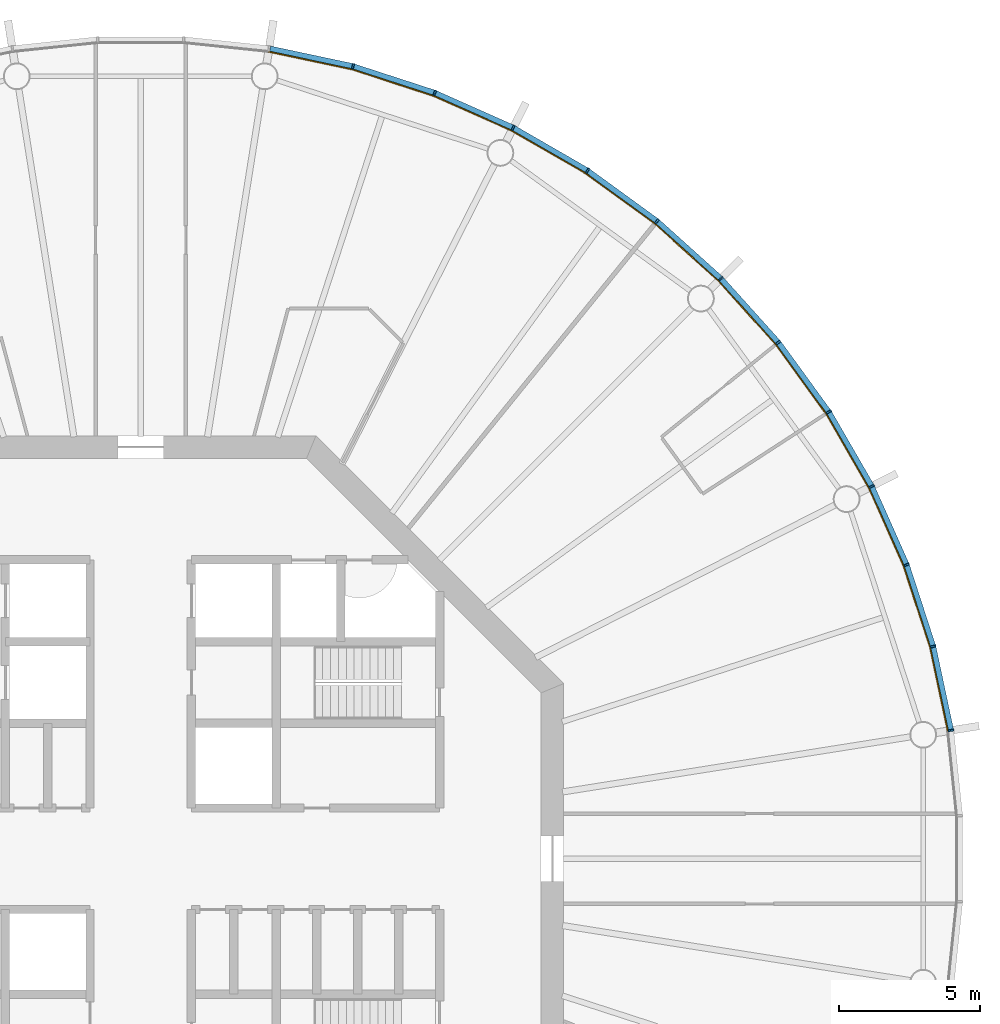
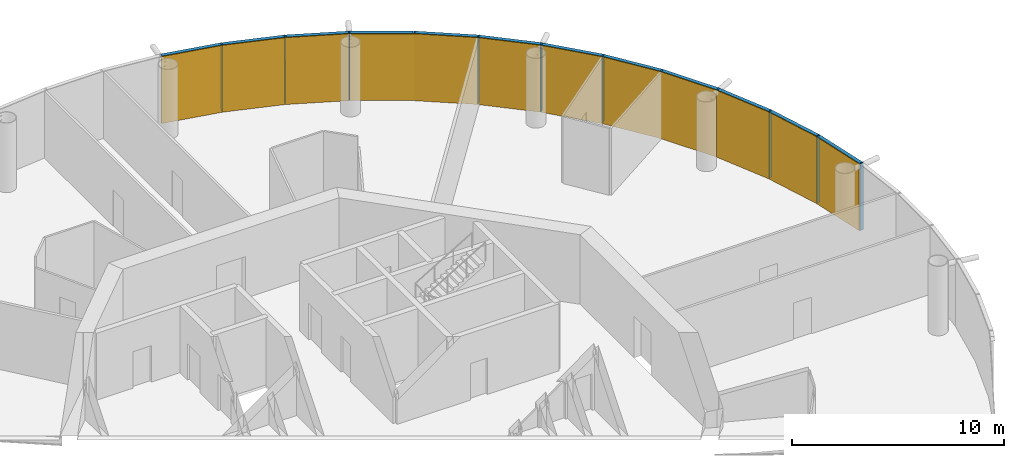
# One storey, part 12 of 13: 24 members, 4 curtain walls.
"""IFC4 building model written with IfcOpenShell, lengths in metres."""

from ifc_helpers import new_model, si_unit, direction, frame, origin, origin_2d, place, context, subcontext, project, spatial, polyline, rectangle, outline, extrude, material, layer, layer_set, material_profile, profile_set, type_object, element, aggregate, save


model = new_model("IFC4")

# Units and contexts
model_context = context("Model", 3, precision=1e-05, world=origin(), true_north=direction((0.0, 1.0)))
body_context = subcontext(model_context, "Body", "Model", "MODEL_VIEW")
ifc_project = project(units=[si_unit("LENGTHUNIT", "METRE"), si_unit("AREAUNIT", "SQUARE_METRE"), si_unit("VOLUMEUNIT", "CUBIC_METRE"), si_unit("PLANEANGLEUNIT", "RADIAN"), si_unit("MASSUNIT", "GRAM", prefix="KILO")], contexts=[model_context])

# Member
ifc_material_1 = material(Name="Anodised aluminium", Category="aluminium")
ifc_material_profile_1 = material_profile(ifc_material_1, rectangle(XDim=0.06494140625, YDim=0.195068359375, at=origin_2d()), Name="Mullion 65 x 195 mm anodised aluminium")
ifc_profile_set_1 = profile_set([ifc_material_profile_1], Name="Anodised aluminium")
member_type_1 = type_object("IfcMemberType", Name="Mullion 65 x 195 mm anodised aluminium", PredefinedType="MULLION", material=ifc_profile_set_1)
site_placement = place(None, origin())
building_placement = place(site_placement, origin())
storey_placement = place(building_placement, frame((0.0, 0.0, 290.0)))
member_1_placement = place(storey_placement, frame((118.7392578125, 84.5517578125, 0.0), z_axis=(0.0, 0.0, 1.0), x_axis=(-0.15643446504, 0.987688340595, 0.0)))
member_1 = element("IfcMember", 1, at=member_1_placement, type_object=member_type_1, Name="MULLION L66-00", PredefinedType="MULLION", context=body_context, shape_type="SweptSolid", body=[
    extrude(rectangle(XDim=0.06494140625, YDim=0.195068359375, at=origin_2d()), origin(), (0.0, 0.0, 1.0), 3.85009765625),
])

member_2_placement = place(storey_placement, frame((118.10595703125, 87.531005859375, 0.0), z_axis=(0.0, 0.0, 1.0), x_axis=(-0.258819045103, 0.965925826289, 0.0)))
member_2 = element("IfcMember", 2, at=member_2_placement, type_object=member_type_1, Name="MULLION L66-01", PredefinedType="MULLION", context=body_context, shape_type="SweptSolid", body=[
    extrude(rectangle(XDim=0.06494140625, YDim=0.195068359375, at=origin_2d()), origin(), (0.0, 0.0, 1.0), 3.85009765625),
])

member_3_placement = place(storey_placement, frame((117.164794921875, 90.427490234375, 0.0), z_axis=(0.0, 0.0, 1.0), x_axis=(-0.358367949545, 0.933580426497, 0.0)))
member_3 = element("IfcMember", 3, at=member_3_placement, type_object=member_type_1, Name="MULLION L66-02", PredefinedType="MULLION", context=body_context, shape_type="SweptSolid", body=[
    extrude(rectangle(XDim=0.06494140625, YDim=0.195068359375, at=origin_2d()), origin(), (0.0, 0.0, 1.0), 3.85009765625),
])

member_4_placement = place(storey_placement, frame((115.926025390625, 93.2099609375, 0.0), z_axis=(0.0, 0.0, 1.0), x_axis=(-0.45399049974, 0.891006524188, 0.0)))
member_4 = element("IfcMember", 4, at=member_4_placement, type_object=member_type_1, Name="MULLION L66-03", PredefinedType="MULLION", context=body_context, shape_type="SweptSolid", body=[
    extrude(rectangle(XDim=0.06494140625, YDim=0.195068359375, at=origin_2d()), origin(), (0.0, 0.0, 1.0), 3.85009765625),
])

member_5_placement = place(storey_placement, frame((114.4033203125, 95.84765625, 0.0), z_axis=(0.0, 0.0, 1.0), x_axis=(-0.544639035015, 0.838670567945, 0.0)))
member_5 = element("IfcMember", 5, at=member_5_placement, type_object=member_type_1, Name="MULLION L66-04", PredefinedType="MULLION", context=body_context, shape_type="SweptSolid", body=[
    extrude(rectangle(XDim=0.06494140625, YDim=0.195068359375, at=origin_2d()), origin(), (0.0, 0.0, 1.0), 3.85009765625),
])

member_6_placement = place(storey_placement, frame((112.613037109375, 98.311767578125, 0.0), z_axis=(0.0, 0.0, 1.0), x_axis=(-0.62932039105, 0.777145961457, 0.0)))
member_6 = element("IfcMember", 6, at=member_6_placement, type_object=member_type_1, Name="MULLION L66-05", PredefinedType="MULLION", context=body_context, shape_type="SweptSolid", body=[
    extrude(rectangle(XDim=0.06494140625, YDim=0.195068359375, at=origin_2d()), origin(), (0.0, 0.0, 1.0), 3.85009765625),
])

member_7_placement = place(storey_placement, frame((110.574951171875, 100.574951171875, 0.0), z_axis=(0.0, 0.0, 1.0), x_axis=(-0.707106781187, 0.707106781187, 0.0)))
member_7 = element("IfcMember", 7, at=member_7_placement, type_object=member_type_1, Name="MULLION L66-06", PredefinedType="MULLION", context=body_context, shape_type="SweptSolid", body=[
    extrude(rectangle(XDim=0.06494140625, YDim=0.195068359375, at=origin_2d()), origin(), (0.0, 0.0, 1.0), 3.85009765625),
])

member_8_placement = place(storey_placement, frame((108.311767578125, 102.613037109375, 0.0), z_axis=(0.0, 0.0, 1.0), x_axis=(-0.777145961457, 0.62932039105, 0.0)))
member_8 = element("IfcMember", 8, at=member_8_placement, type_object=member_type_1, Name="MULLION L66-07", PredefinedType="MULLION", context=body_context, shape_type="SweptSolid", body=[
    extrude(rectangle(XDim=0.06494140625, YDim=0.195068359375, at=origin_2d()), origin(), (0.0, 0.0, 1.0), 3.85009765625),
])

member_9_placement = place(storey_placement, frame((105.84765625, 104.4033203125, 0.0), z_axis=(0.0, 0.0, 1.0), x_axis=(-0.838670567945, 0.544639035015, 0.0)))
member_9 = element("IfcMember", 9, at=member_9_placement, type_object=member_type_1, Name="MULLION L66-08", PredefinedType="MULLION", context=body_context, shape_type="SweptSolid", body=[
    extrude(rectangle(XDim=0.06494140625, YDim=0.195068359375, at=origin_2d()), origin(), (0.0, 0.0, 1.0), 3.85009765625),
])

member_10_placement = place(storey_placement, frame((103.2099609375, 105.926025390625, 0.0), z_axis=(0.0, 0.0, 1.0), x_axis=(-0.891006524188, 0.45399049974, 0.0)))
member_10 = element("IfcMember", 10, at=member_10_placement, type_object=member_type_1, Name="MULLION L66-09", PredefinedType="MULLION", context=body_context, shape_type="SweptSolid", body=[
    extrude(rectangle(XDim=0.06494140625, YDim=0.195068359375, at=origin_2d()), origin(), (0.0, 0.0, 1.0), 3.85009765625),
])

member_11_placement = place(storey_placement, frame((100.427490234375, 107.164794921875, 0.0), z_axis=(0.0, 0.0, 1.0), x_axis=(-0.933580426497, 0.358367949545, 0.0)))
member_11 = element("IfcMember", 11, at=member_11_placement, type_object=member_type_1, Name="MULLION L66-10", PredefinedType="MULLION", context=body_context, shape_type="SweptSolid", body=[
    extrude(rectangle(XDim=0.06494140625, YDim=0.195068359375, at=origin_2d()), origin(), (0.0, 0.0, 1.0), 3.85009765625),
])

member_12_placement = place(storey_placement, frame((97.531005859375, 108.10595703125, 0.0), z_axis=(0.0, 0.0, 1.0), x_axis=(-0.965925826289, 0.258819045103, 0.0)))
member_12 = element("IfcMember", 12, at=member_12_placement, type_object=member_type_1, Name="MULLION L66-11", PredefinedType="MULLION", context=body_context, shape_type="SweptSolid", body=[
    extrude(rectangle(XDim=0.06494140625, YDim=0.195068359375, at=origin_2d()), origin(), (0.0, 0.0, 1.0), 3.85009765625),
])

ifc_material_2 = material(Name="Anodised aluminium", Category="aluminium")
ifc_material_profile_2 = material_profile(ifc_material_2, rectangle(XDim=0.195068359375, YDim=0.179931640625, at=origin_2d()), Name="Transom 180 x 195 mm anodised aluminium")
ifc_profile_set_2 = profile_set([ifc_material_profile_2], Name="Anodised aluminium")
member_type_2 = type_object("IfcMemberType", Name="Transom 180 x 195 mm anodised aluminium", PredefinedType="USERDEFINED", material=ifc_profile_set_2)
member_13_placement = place(storey_placement, frame((118.731689453125, 84.588623046875, 3.760009765625), z_axis=(-0.207940342877, 0.978141510112, 0.0), x_axis=(-0.978141510112, -0.207940342877, 0.0)))
member_13 = element("IfcMember", 13, at=member_13_placement, type_object=member_type_2, Name="TRANSOM L66-00", ObjectType="TRANSOM", PredefinedType="USERDEFINED", context=body_context, shape_type="SweptSolid", body=[
    extrude(rectangle(XDim=0.195068359375, YDim=0.179931640625, at=origin_2d()), origin(), (0.0, 0.0, 1.0), 2.970458984375),
])

member_14_placement = place(storey_placement, frame((118.094482421875, 87.56689453125, 3.760009765625), z_axis=(-0.309043326415, 0.951047960094, 0.0), x_axis=(-0.951047960094, -0.309043326415, 0.0)))
member_14 = element("IfcMember", 14, at=member_14_placement, type_object=member_type_2, Name="TRANSOM L66-01", ObjectType="TRANSOM", PredefinedType="USERDEFINED", context=body_context, shape_type="SweptSolid", body=[
    extrude(rectangle(XDim=0.195068359375, YDim=0.179931640625, at=origin_2d()), origin(), (0.0, 0.0, 1.0), 2.970458984375),
])

member_15_placement = place(storey_placement, frame((117.149658203125, 90.4619140625, 3.760009765625), z_axis=(-0.406725527369, 0.913550406593, 0.0), x_axis=(-0.913550406593, -0.406725527369, 0.0)))
member_15 = element("IfcMember", 15, at=member_15_placement, type_object=member_type_2, Name="TRANSOM L66-02", ObjectType="TRANSOM", PredefinedType="USERDEFINED", context=body_context, shape_type="SweptSolid", body=[
    extrude(rectangle(XDim=0.195068359375, YDim=0.179931640625, at=origin_2d()), origin(), (0.0, 0.0, 1.0), 2.970703125),
])

member_16_placement = place(storey_placement, frame((115.907470703125, 93.24267578125, 3.760009765625), z_axis=(-0.500028367561, 0.866009025146, 0.0), x_axis=(-0.866009025146, -0.500028367561, 0.0)))
member_16 = element("IfcMember", 16, at=member_16_placement, type_object=member_type_2, Name="TRANSOM L66-03", ObjectType="TRANSOM", PredefinedType="USERDEFINED", context=body_context, shape_type="SweptSolid", body=[
    extrude(rectangle(XDim=0.195068359375, YDim=0.179931640625, at=origin_2d()), origin(), (0.0, 0.0, 1.0), 2.970458984375),
])

member_17_placement = place(storey_placement, frame((114.381103515625, 95.878173828125, 3.760009765625), z_axis=(-0.587765987476, 0.809030990733, 0.0), x_axis=(-0.809030990733, -0.587765987476, 0.0)))
member_17 = element("IfcMember", 17, at=member_17_placement, type_object=member_type_2, Name="TRANSOM L66-04", ObjectType="TRANSOM", PredefinedType="USERDEFINED", context=body_context, shape_type="SweptSolid", body=[
    extrude(rectangle(XDim=0.195068359375, YDim=0.179931640625, at=origin_2d()), origin(), (0.0, 0.0, 1.0), 2.97021484375),
])

member_18_placement = place(storey_placement, frame((112.587890625, 98.339599609375, 3.760009765625), z_axis=(-0.669110027395, 0.743163354343, 0.0), x_axis=(-0.743163354343, -0.669110027395, 0.0)))
member_18 = element("IfcMember", 18, at=member_18_placement, type_object=member_type_2, Name="TRANSOM L66-05", ObjectType="TRANSOM", PredefinedType="USERDEFINED", context=body_context, shape_type="SweptSolid", body=[
    extrude(rectangle(XDim=0.195068359375, YDim=0.179931640625, at=origin_2d()), origin(), (0.0, 0.0, 1.0), 2.970458984375),
])

member_19_placement = place(storey_placement, frame((110.547119140625, 100.600341796875, 3.760009765625), z_axis=(-0.743163354343, 0.669110027395, 0.0), x_axis=(-0.669110027395, -0.743163354343, 0.0)))
member_19 = element("IfcMember", 19, at=member_19_placement, type_object=member_type_2, Name="TRANSOM L66-06", ObjectType="TRANSOM", PredefinedType="USERDEFINED", context=body_context, shape_type="SweptSolid", body=[
    extrude(rectangle(XDim=0.195068359375, YDim=0.179931640625, at=origin_2d()), origin(), (0.0, 0.0, 1.0), 2.970458984375),
])

member_20_placement = place(storey_placement, frame((108.28125, 102.63525390625, 3.760009765625), z_axis=(-0.809030990733, 0.587765987476, 0.0), x_axis=(-0.587765987476, -0.809030990733, 0.0)))
member_20 = element("IfcMember", 20, at=member_20_placement, type_object=member_type_2, Name="TRANSOM L66-07", ObjectType="TRANSOM", PredefinedType="USERDEFINED", context=body_context, shape_type="SweptSolid", body=[
    extrude(rectangle(XDim=0.195068359375, YDim=0.179931640625, at=origin_2d()), origin(), (0.0, 0.0, 1.0), 2.97021484375),
])

member_21_placement = place(storey_placement, frame((105.815185546875, 104.422119140625, 3.760009765625), z_axis=(-0.866009025146, 0.500028367561, 0.0), x_axis=(-0.500028367561, -0.866009025146, 0.0)))
member_21 = element("IfcMember", 21, at=member_21_placement, type_object=member_type_2, Name="TRANSOM L66-08", ObjectType="TRANSOM", PredefinedType="USERDEFINED", context=body_context, shape_type="SweptSolid", body=[
    extrude(rectangle(XDim=0.195068359375, YDim=0.179931640625, at=origin_2d()), origin(), (0.0, 0.0, 1.0), 2.970458984375),
])

member_22_placement = place(storey_placement, frame((103.17578125, 105.94140625, 3.760009765625), z_axis=(-0.913550406593, 0.406725527369, 0.0), x_axis=(-0.406725527369, -0.913550406593, 0.0)))
member_22 = element("IfcMember", 22, at=member_22_placement, type_object=member_type_2, Name="TRANSOM L66-09", ObjectType="TRANSOM", PredefinedType="USERDEFINED", context=body_context, shape_type="SweptSolid", body=[
    extrude(rectangle(XDim=0.195068359375, YDim=0.179931640625, at=origin_2d()), origin(), (0.0, 0.0, 1.0), 2.970703125),
])

member_23_placement = place(storey_placement, frame((100.391845703125, 107.176513671875, 3.760009765625), z_axis=(-0.951047960094, 0.309043326415, 0.0), x_axis=(-0.309043326415, -0.951047960094, 0.0)))
member_23 = element("IfcMember", 23, at=member_23_placement, type_object=member_type_2, Name="TRANSOM L66-10", ObjectType="TRANSOM", PredefinedType="USERDEFINED", context=body_context, shape_type="SweptSolid", body=[
    extrude(rectangle(XDim=0.195068359375, YDim=0.179931640625, at=origin_2d()), origin(), (0.0, 0.0, 1.0), 2.970458984375),
])

member_24_placement = place(storey_placement, frame((97.494140625, 108.114013671875, 3.760009765625), z_axis=(-0.978141510112, 0.207940342877, 0.0), x_axis=(-0.207940342877, -0.978141510112, 0.0)))
member_24 = element("IfcMember", 24, at=member_24_placement, type_object=member_type_2, Name="TRANSOM L66-11", ObjectType="TRANSOM", PredefinedType="USERDEFINED", context=body_context, shape_type="SweptSolid", body=[
    extrude(rectangle(XDim=0.195068359375, YDim=0.179931640625, at=origin_2d()), origin(), (0.0, 0.0, 1.0), 2.970458984375),
])

# Site, building, storey
site = spatial("IfcSite", under=ifc_project, at=site_placement, CompositionType="ELEMENT")
building = spatial("IfcBuilding", under=site, at=building_placement, Name="Entoto Ring Tower", CompositionType="ELEMENT")
storey = spatial("IfcBuildingStorey", under=building, at=storey_placement, Name="L66", CompositionType="ELEMENT", Elevation=290.0)

# Curtain wall
ifc_material_3 = material(Name="Clear low-iron glass", Category="glass")
ifc_layer = layer(ifc_material_3, 0.033935546875)
ifc_layer_set = layer_set([ifc_layer], Name="Clear low-iron glass")
curtain_wall_type = type_object("IfcCurtainWallType", Name="Curtain wall system CW5 glazing 34 mm", PredefinedType="NOTDEFINED", material=ifc_layer_set)
curtain_wall_1_placement = place(storey_placement, origin())
curtain_wall_1 = element("IfcCurtainWall", 25, at=curtain_wall_1_placement, inside=storey, type_object=curtain_wall_type, Name="CW5 L66-01", PredefinedType="NOTDEFINED", context=body_context, shape_type="SweptSolid", body=[
    extrude(outline(polyline([(118.64306640625, 84.53662109375), (118.011962890625, 87.505859375), (117.07373046875, 90.392578125), (115.839111328125, 93.165771484375), (115.808837890625, 93.150146484375), (117.0419921875, 90.38037109375), (117.97900390625, 87.496826171875), (118.609375, 84.53125), (118.64306640625, 84.53662109375)])), origin(), (0.0, 0.0, 1.0), 3.85009765625),
])

aggregate(curtain_wall_1, [member_1, member_2, member_3, member_13, member_14, member_15])

curtain_wall_2_placement = place(storey_placement, origin())
curtain_wall_2 = element("IfcCurtainWall", 26, at=curtain_wall_2_placement, inside=storey, type_object=curtain_wall_type, Name="CW5 L66-02", PredefinedType="NOTDEFINED", context=body_context, shape_type="SweptSolid", body=[
    extrude(outline(polyline([(115.839111328125, 93.165771484375), (114.321533203125, 95.79443359375), (112.537353515625, 98.250244140625), (110.506103515625, 100.506103515625), (110.48193359375, 100.48193359375), (112.5107421875, 98.228759765625), (114.29296875, 95.77587890625), (115.808837890625, 93.150146484375), (115.839111328125, 93.165771484375)])), origin(), (0.0, 0.0, 1.0), 3.85009765625),
])

aggregate(curtain_wall_2, [member_4, member_5, member_6, member_16, member_17, member_18])

curtain_wall_3_placement = place(storey_placement, origin())
curtain_wall_3 = element("IfcCurtainWall", 27, at=curtain_wall_3_placement, inside=storey, type_object=curtain_wall_type, Name="CW5 L66-03", PredefinedType="NOTDEFINED", context=body_context, shape_type="SweptSolid", body=[
    extrude(outline(polyline([(110.506103515625, 100.506103515625), (108.250244140625, 102.537353515625), (105.79443359375, 104.321533203125), (103.165771484375, 105.839111328125), (103.150146484375, 105.808837890625), (105.77587890625, 104.29296875), (108.228759765625, 102.5107421875), (110.48193359375, 100.48193359375), (110.506103515625, 100.506103515625)])), origin(), (0.0, 0.0, 1.0), 3.85009765625),
])

aggregate(curtain_wall_3, [member_7, member_8, member_9, member_19, member_20, member_21])

curtain_wall_4_placement = place(storey_placement, origin())
curtain_wall_4 = element("IfcCurtainWall", 28, at=curtain_wall_4_placement, inside=storey, type_object=curtain_wall_type, Name="CW5 L66-04", PredefinedType="NOTDEFINED", context=body_context, shape_type="SweptSolid", body=[
    extrude(outline(polyline([(103.165771484375, 105.839111328125), (100.392578125, 107.07373046875), (97.505859375, 108.011962890625), (94.53662109375, 108.64306640625), (94.53125, 108.609375), (97.496826171875, 107.97900390625), (100.38037109375, 107.0419921875), (103.150146484375, 105.808837890625), (103.165771484375, 105.839111328125)])), origin(), (0.0, 0.0, 1.0), 3.85009765625),
])

aggregate(curtain_wall_4, [member_10, member_11, member_12, member_22, member_23, member_24])

save(model, "model.ifc")
